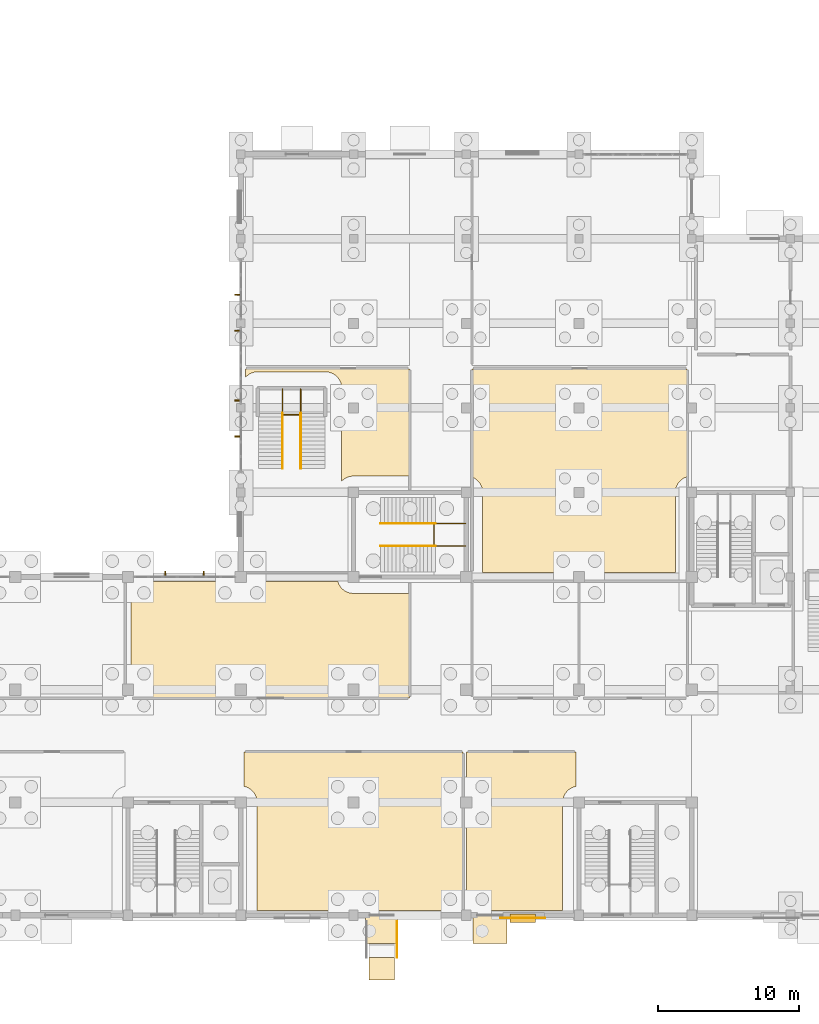
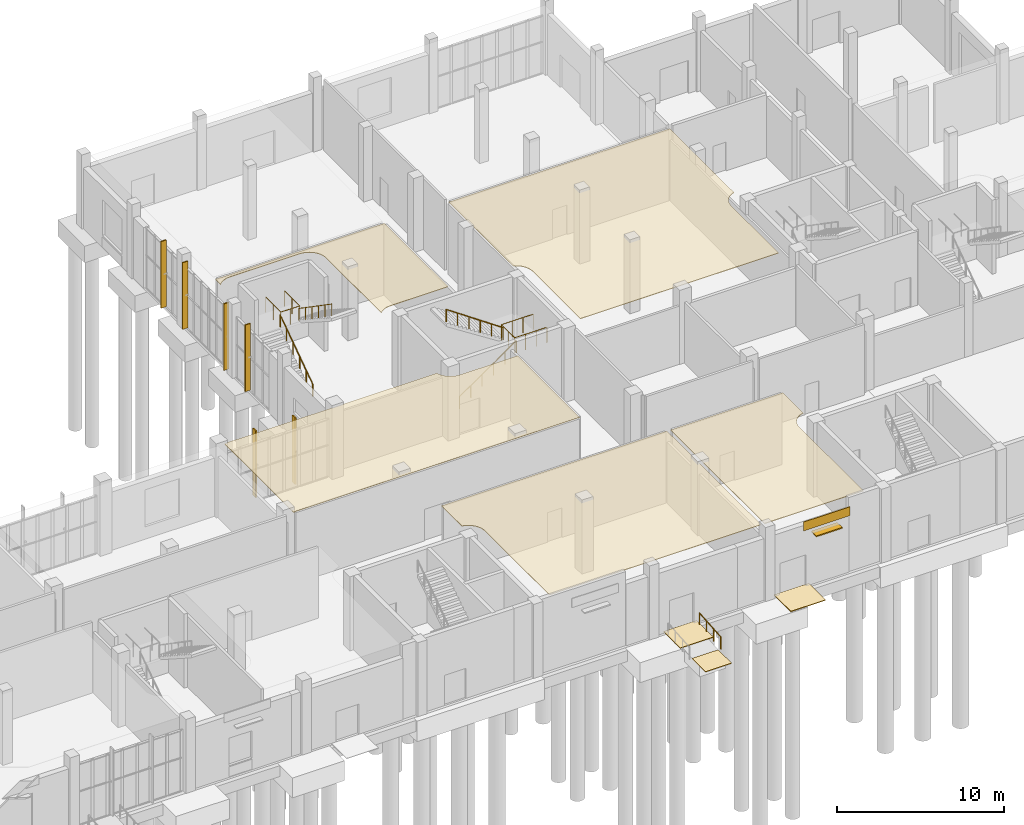
# One storey, part 63 of 69: 9 coverings, 7 railings, 7 shading devices.
"""IFC4 building model written with IfcOpenShell, lengths in metres."""

from ifc_helpers import new_model, si_unit, direction, frame, origin, origin_2d, place, context, subcontext, project, spatial, polyline, rectangle, circle, outline, extrude, material, layer, layer_set, type_object, element, save


model = new_model("IFC4")

# Units and contexts
model_context = context("Model", 3, precision=1e-05, world=origin(), true_north=direction((0.0, 1.0)))
body_context = subcontext(model_context, "Body", "Model", "MODEL_VIEW")
ifc_project = project(units=[si_unit("LENGTHUNIT", "METRE"), si_unit("AREAUNIT", "SQUARE_METRE"), si_unit("VOLUMEUNIT", "CUBIC_METRE"), si_unit("PLANEANGLEUNIT", "RADIAN"), si_unit("MASSUNIT", "GRAM", prefix="KILO")], contexts=[model_context])

# Site, building, storey
site_placement = place(None, origin())
site = spatial("IfcSite", under=ifc_project, at=site_placement, CompositionType="ELEMENT")
building_placement = place(site_placement, origin())
building = spatial("IfcBuilding", under=site, at=building_placement, Name="Solvane Community Centre", CompositionType="ELEMENT")
storey_placement = place(building_placement, origin())
storey = spatial("IfcBuildingStorey", under=building, at=storey_placement, Name="L00", CompositionType="ELEMENT", Elevation=0.0)

# Coverings
ifc_material_1 = material(Name="Acoustic timber slat ceiling", Category="wood")
ifc_layer_1 = layer(ifc_material_1, 0.0400390625)
ifc_layer_set_1 = layer_set([ifc_layer_1], Name="Acoustic timber slat ceiling")
covering_type_1 = type_object("IfcCoveringType", Name="Acoustic Timber Slat Suspended Ceiling", PredefinedType="CEILING", material=ifc_layer_set_1)
covering_1_placement = place(storey_placement, frame((0.0, 0.0, 5.135009765625)))
element("IfcCovering", 1, at=covering_1_placement, inside=storey, type_object=covering_type_1, Name="Acoustic Ceiling L00-26", PredefinedType="CEILING", context=body_context, shape_type="SweptSolid", body=[
    extrude(outline(polyline([(108.219970703125, 17.580078125), (123.780029296875, 17.580078125), (123.780029296875, 6.320068359375), (109.159912109375, 6.320068359375), (109.159912109375, 14.0), (109.15869140625, 14.049072265625), (109.157958984375, 14.064697265625), (109.1484375, 14.162353515625), (109.14599609375, 14.177978515625), (109.126953125, 14.274169921875), (109.123046875, 14.289306640625), (109.0947265625, 14.38330078125), (109.08935546875, 14.398193359375), (109.0517578125, 14.48876953125), (109.045166015625, 14.5029296875), (108.998779296875, 14.589599609375), (108.99072265625, 14.60302734375), (108.936279296875, 14.6845703125), (108.927001953125, 14.697265625), (108.864501953125, 14.773193359375), (108.85400390625, 14.78466796875), (108.78466796875, 14.85400390625), (108.773193359375, 14.864501953125), (108.697265625, 14.927001953125), (108.6845703125, 14.936279296875), (108.60302734375, 14.99072265625), (108.589599609375, 14.998779296875), (108.5029296875, 15.045166015625), (108.48876953125, 15.0517578125), (108.398193359375, 15.08935546875), (108.38330078125, 15.0947265625), (108.289306640625, 15.123046875), (108.274169921875, 15.126953125), (108.219970703125, 15.1376953125), (108.219970703125, 17.580078125)])), origin(), (0.0, 0.0, 1.0), 0.0400390625),
])
covering_2_placement = place(storey_placement, frame((0.0, 0.0, 5.135009765625)))
element("IfcCovering", 2, at=covering_2_placement, inside=storey, type_object=covering_type_1, Name="Acoustic Ceiling L00-27", PredefinedType="CEILING", context=body_context, shape_type="SweptSolid", body=[
    extrude(outline(polyline([(124.02001953125, 6.320068359375), (124.02001953125, 17.580078125), (131.780029296875, 17.580078125), (131.780029296875, 15.1376953125), (131.725830078125, 15.126953125), (131.710693359375, 15.123046875), (131.61669921875, 15.0947265625), (131.601806640625, 15.08935546875), (131.51123046875, 15.0517578125), (131.4970703125, 15.045166015625), (131.410400390625, 14.998779296875), (131.39697265625, 14.99072265625), (131.3154296875, 14.936279296875), (131.302734375, 14.927001953125), (131.226806640625, 14.864501953125), (131.21533203125, 14.85400390625), (131.14599609375, 14.78466796875), (131.135498046875, 14.773193359375), (131.072998046875, 14.697265625), (131.063720703125, 14.6845703125), (131.00927734375, 14.60302734375), (131.001220703125, 14.589599609375), (130.954833984375, 14.5029296875), (130.9482421875, 14.48876953125), (130.91064453125, 14.398193359375), (130.9052734375, 14.38330078125), (130.876953125, 14.289306640625), (130.873046875, 14.274169921875), (130.85400390625, 14.177978515625), (130.8515625, 14.162353515625), (130.842041015625, 14.064697265625), (130.84130859375, 14.049072265625), (130.840087890625, 14.0), (130.840087890625, 6.320068359375), (124.02001953125, 6.320068359375)])), origin(), (0.0, 0.0, 1.0), 0.0400390625),
])
covering_3_placement = place(storey_placement, frame((0.0, 0.0, 5.135009765625)))
element("IfcCovering", 3, at=covering_3_placement, inside=storey, type_object=covering_type_1, Name="Acoustic Ceiling L00-28", PredefinedType="CEILING", context=body_context, shape_type="SweptSolid", body=[
    extrude(outline(polyline([(119.97998046875, 21.419921875), (100.219970703125, 21.419921875), (100.219970703125, 29.679931640625), (114.885986328125, 29.679931640625), (114.9052734375, 29.61669921875), (114.91064453125, 29.601806640625), (114.9482421875, 29.51123046875), (114.954833984375, 29.4970703125), (115.001220703125, 29.410400390625), (115.00927734375, 29.39697265625), (115.063720703125, 29.3154296875), (115.072998046875, 29.302734375), (115.135498046875, 29.226806640625), (115.14599609375, 29.21533203125), (115.21533203125, 29.14599609375), (115.226806640625, 29.135498046875), (115.302734375, 29.072998046875), (115.3154296875, 29.063720703125), (115.39697265625, 29.00927734375), (115.410400390625, 29.001220703125), (115.4970703125, 28.954833984375), (115.51123046875, 28.9482421875), (115.601806640625, 28.91064453125), (115.61669921875, 28.9052734375), (115.710693359375, 28.876953125), (115.725830078125, 28.873046875), (115.822021484375, 28.85400390625), (115.837646484375, 28.8515625), (115.935302734375, 28.842041015625), (115.950927734375, 28.84130859375), (116.0, 28.840087890625), (119.97998046875, 28.840087890625), (119.97998046875, 21.419921875)])), origin(), (0.0, 0.0, 1.0), 0.0400390625),
])
covering_4_placement = place(storey_placement, frame((0.0, 0.0, 5.135009765625)))
element("IfcCovering", 4, at=covering_4_placement, inside=storey, type_object=covering_type_1, Name="Acoustic Ceiling L00-32", PredefinedType="CEILING", context=body_context, shape_type="SweptSolid", body=[
    extrude(outline(polyline([(108.320068359375, 44.780029296875), (119.97998046875, 44.780029296875), (119.97998046875, 37.159912109375), (116.0, 37.159912109375), (115.950927734375, 37.15869140625), (115.935302734375, 37.157958984375), (115.837646484375, 37.1484375), (115.822021484375, 37.14599609375), (115.725830078125, 37.126953125), (115.710693359375, 37.123046875), (115.61669921875, 37.0947265625), (115.601806640625, 37.08935546875), (115.51123046875, 37.0517578125), (115.4970703125, 37.045166015625), (115.410400390625, 36.998779296875), (115.39697265625, 36.99072265625), (115.3154296875, 36.936279296875), (115.302734375, 36.927001953125), (115.226806640625, 36.864501953125), (115.21533203125, 36.85400390625), (115.159912109375, 36.798828125), (115.159912109375, 43.39990234375), (115.15869140625, 43.44921875), (115.157958984375, 43.46484375), (115.1484375, 43.5625), (115.14599609375, 43.577880859375), (115.126953125, 43.67431640625), (115.123046875, 43.689453125), (115.0947265625, 43.783203125), (115.08935546875, 43.798095703125), (115.0517578125, 43.888916015625), (115.045166015625, 43.903076171875), (114.998779296875, 43.989501953125), (114.99072265625, 44.0029296875), (114.936279296875, 44.084716796875), (114.927001953125, 44.09716796875), (114.864501953125, 44.173095703125), (114.85400390625, 44.184814453125), (114.78466796875, 44.254150390625), (114.773193359375, 44.2646484375), (114.697265625, 44.326904296875), (114.6845703125, 44.336181640625), (114.60302734375, 44.390869140625), (114.589599609375, 44.398681640625), (114.5029296875, 44.445068359375), (114.48876953125, 44.451904296875), (114.398193359375, 44.489501953125), (114.38330078125, 44.49462890625), (114.289306640625, 44.523193359375), (114.274169921875, 44.527099609375), (114.177978515625, 44.546142578125), (114.162353515625, 44.54833984375), (114.064697265625, 44.55810546875), (114.049072265625, 44.558837890625), (114.0, 44.56005859375), (109.199951171875, 44.56005859375), (109.15087890625, 44.558837890625), (109.13525390625, 44.55810546875), (109.03759765625, 44.54833984375), (109.022216796875, 44.546142578125), (108.92578125, 44.527099609375), (108.91064453125, 44.523193359375), (108.816650390625, 44.49462890625), (108.802001953125, 44.489501953125), (108.711181640625, 44.451904296875), (108.697021484375, 44.445068359375), (108.610595703125, 44.398681640625), (108.596923828125, 44.390869140625), (108.515380859375, 44.336181640625), (108.502685546875, 44.326904296875), (108.427001953125, 44.2646484375), (108.415283203125, 44.254150390625), (108.345947265625, 44.184814453125), (108.33544921875, 44.173095703125), (108.320068359375, 44.154296875), (108.320068359375, 44.780029296875)])), origin(), (0.0, 0.0, 1.0), 0.0400390625),
])
covering_5_placement = place(storey_placement, frame((0.0, 0.0, 5.135009765625)))
element("IfcCovering", 5, at=covering_5_placement, inside=storey, type_object=covering_type_1, Name="Acoustic Ceiling L00-34", PredefinedType="CEILING", context=body_context, shape_type="SweptSolid", body=[
    extrude(outline(polyline([(124.419921875, 44.780029296875), (139.679931640625, 44.780029296875), (139.679931640625, 37.114013671875), (139.61669921875, 37.0947265625), (139.601806640625, 37.08935546875), (139.51123046875, 37.0517578125), (139.4970703125, 37.045166015625), (139.410400390625, 36.998779296875), (139.39697265625, 36.99072265625), (139.3154296875, 36.936279296875), (139.302734375, 36.927001953125), (139.226806640625, 36.864501953125), (139.21533203125, 36.85400390625), (139.14599609375, 36.78466796875), (139.135498046875, 36.773193359375), (139.072998046875, 36.697265625), (139.063720703125, 36.6845703125), (139.00927734375, 36.60302734375), (139.001220703125, 36.589599609375), (138.954833984375, 36.5029296875), (138.9482421875, 36.48876953125), (138.91064453125, 36.398193359375), (138.9052734375, 36.38330078125), (138.876953125, 36.289306640625), (138.873046875, 36.274169921875), (138.85400390625, 36.177978515625), (138.8515625, 36.162353515625), (138.842041015625, 36.064697265625), (138.84130859375, 36.049072265625), (138.840087890625, 36.0), (138.840087890625, 30.320068359375), (125.159912109375, 30.320068359375), (125.159912109375, 36.0), (125.15869140625, 36.049072265625), (125.157958984375, 36.064697265625), (125.1484375, 36.162353515625), (125.14599609375, 36.177978515625), (125.126953125, 36.274169921875), (125.123046875, 36.289306640625), (125.0947265625, 36.38330078125), (125.08935546875, 36.398193359375), (125.0517578125, 36.48876953125), (125.045166015625, 36.5029296875), (124.998779296875, 36.589599609375), (124.99072265625, 36.60302734375), (124.936279296875, 36.6845703125), (124.927001953125, 36.697265625), (124.864501953125, 36.773193359375), (124.85400390625, 36.78466796875), (124.78466796875, 36.85400390625), (124.773193359375, 36.864501953125), (124.697265625, 36.927001953125), (124.6845703125, 36.936279296875), (124.60302734375, 36.99072265625), (124.589599609375, 36.998779296875), (124.5029296875, 37.045166015625), (124.48876953125, 37.0517578125), (124.419921875, 37.080322265625), (124.419921875, 44.780029296875)])), origin(), (0.0, 0.0, 1.0), 0.0400390625),
])

# Shading devices
ifc_material_2 = material(Name="Anodised bronze aluminium AW-6063 T6", Category="aluminium")
shading_device_type_1 = type_object("IfcShadingDeviceType", Name="Art Deco Bronze Solar Fin 80x360", PredefinedType="USERDEFINED", material=ifc_material_2)
shading_device_1_placement = place(storey_placement, frame((102.639892578125, 30.239990234375, 0.14990234375), z_axis=(0.0, 0.0, 1.0), x_axis=(1.0, 0.0, 0.0)))
element("IfcShadingDevice", 6, at=shading_device_1_placement, inside=storey, type_object=shading_device_type_1, Name="Solar Brise-Soleil Fin 25", ObjectType="Solar Brise-Soleil Fin 25", PredefinedType="USERDEFINED", context=body_context, shape_type="SweptSolid", body=[
    extrude(rectangle(XDim=0.080078125, YDim=0.360107421875, at=origin_2d()), origin(), (0.0, 0.0, 1.0), 4.860107421875),
])
shading_device_2_placement = place(storey_placement, frame((105.360107421875, 30.239990234375, 0.14990234375), z_axis=(0.0, 0.0, 1.0), x_axis=(1.0, 0.0, 0.0)))
element("IfcShadingDevice", 7, at=shading_device_2_placement, inside=storey, type_object=shading_device_type_1, Name="Solar Brise-Soleil Fin 26", ObjectType="Solar Brise-Soleil Fin 26", PredefinedType="USERDEFINED", context=body_context, shape_type="SweptSolid", body=[
    extrude(rectangle(XDim=0.080078125, YDim=0.360107421875, at=origin_2d()), origin(), (0.0, 0.0, 1.0), 4.860107421875),
])
shading_device_3_placement = place(storey_placement, frame((107.760009765625, 39.97509765625, 0.14990234375), z_axis=(0.0, 0.0, 1.0), x_axis=(0.0, 1.0, 0.0)))
element("IfcShadingDevice", 8, at=shading_device_3_placement, inside=storey, type_object=shading_device_type_1, Name="Solar Brise-Soleil Fin 27", ObjectType="Solar Brise-Soleil Fin 27", PredefinedType="USERDEFINED", context=body_context, shape_type="SweptSolid", body=[
    extrude(rectangle(XDim=0.080078125, YDim=0.360107421875, at=origin_2d()), origin(), (0.0, 0.0, 1.0), 4.860107421875),
])
shading_device_4_placement = place(storey_placement, frame((107.760009765625, 42.52490234375, 0.14990234375), z_axis=(0.0, 0.0, 1.0), x_axis=(0.0, 1.0, 0.0)))
element("IfcShadingDevice", 9, at=shading_device_4_placement, inside=storey, type_object=shading_device_type_1, Name="Solar Brise-Soleil Fin 28", ObjectType="Solar Brise-Soleil Fin 28", PredefinedType="USERDEFINED", context=body_context, shape_type="SweptSolid", body=[
    extrude(rectangle(XDim=0.080078125, YDim=0.360107421875, at=origin_2d()), origin(), (0.0, 0.0, 1.0), 4.860107421875),
])
shading_device_5_placement = place(storey_placement, frame((107.760009765625, 47.47509765625, 0.14990234375), z_axis=(0.0, 0.0, 1.0), x_axis=(0.0, 1.0, 0.0)))
element("IfcShadingDevice", 10, at=shading_device_5_placement, inside=storey, type_object=shading_device_type_1, Name="Solar Brise-Soleil Fin 29", ObjectType="Solar Brise-Soleil Fin 29", PredefinedType="USERDEFINED", context=body_context, shape_type="SweptSolid", body=[
    extrude(rectangle(XDim=0.080078125, YDim=0.360107421875, at=origin_2d()), origin(), (0.0, 0.0, 1.0), 4.860107421875),
])
shading_device_6_placement = place(storey_placement, frame((107.760009765625, 50.02490234375, 0.14990234375), z_axis=(0.0, 0.0, 1.0), x_axis=(0.0, 1.0, 0.0)))
element("IfcShadingDevice", 11, at=shading_device_6_placement, inside=storey, type_object=shading_device_type_1, Name="Solar Brise-Soleil Fin 30", ObjectType="Solar Brise-Soleil Fin 30", PredefinedType="USERDEFINED", context=body_context, shape_type="SweptSolid", body=[
    extrude(rectangle(XDim=0.080078125, YDim=0.360107421875, at=origin_2d()), origin(), (0.0, 0.0, 1.0), 4.860107421875),
])

# Railings
railing_type_1 = type_object("IfcRailingType", Name="Interior Gallery & Stair Well Guard 1150mm", PredefinedType="BALUSTRADE", material=ifc_material_2)
railing_1_placement = place(storey_placement, frame((123.93994140625, 32.2099609375, 2.699951171875)))
element("IfcRailing", 12, at=railing_1_placement, inside=storey, type_object=railing_type_1, Name="Railing GR-L00-060", PredefinedType="BALUSTRADE", context=body_context, shape_type="SweptSolid", body=[
    extrude(circle(Radius=0.02392578125, at=origin_2d()), frame((0.0, 0.0, 1.1259765625), z_axis=(-1.0, 0.0, 0.0), x_axis=(0.0, -1.0, 0.0)), (0.0, 0.0, 1.0), 2.219970703125),
    extrude(circle(Radius=0.02392578125, at=origin_2d()), frame((-2.219970703125, 0.0, 1.1259765625), z_axis=(0.0, 1.0, 0.0), x_axis=(-1.0, 0.0, 0.0)), (0.0, 0.0, 1.0), 1.580078125),
    extrude(circle(Radius=0.02392578125, at=origin_2d()), frame((-2.219970703125, 1.580078125, 1.1259765625), z_axis=(1.0, 0.0, 0.0), x_axis=(0.0, 1.0, 0.0)), (0.0, 0.0, 1.0), 2.219970703125),
    extrude(circle(Radius=0.02099609375, at=origin_2d()), origin(), (0.0, 0.0, 1.0), 1.101806640625),
    extrude(circle(Radius=0.02099609375, at=origin_2d()), frame((-0.739990234375, 0.0, 0.0)), (0.0, 0.0, 1.0), 1.101806640625),
    extrude(circle(Radius=0.02099609375, at=origin_2d()), frame((-1.47998046875, 0.0, 0.0)), (0.0, 0.0, 1.0), 1.101806640625),
    extrude(circle(Radius=0.02099609375, at=origin_2d()), frame((-2.219970703125, 0.0, 0.0)), (0.0, 0.0, 1.0), 1.101806640625),
    extrude(circle(Radius=0.02099609375, at=origin_2d()), frame((-2.219970703125, 0.7900390625, 0.0)), (0.0, 0.0, 1.0), 1.101806640625),
    extrude(circle(Radius=0.02099609375, at=origin_2d()), frame((-2.219970703125, 1.580078125, 0.0)), (0.0, 0.0, 1.0), 1.101806640625),
    extrude(circle(Radius=0.02099609375, at=origin_2d()), frame((-1.47998046875, 1.580078125, 0.0)), (0.0, 0.0, 1.0), 1.101806640625),
    extrude(circle(Radius=0.02099609375, at=origin_2d()), frame((-0.739990234375, 1.580078125, 0.0)), (0.0, 0.0, 1.0), 1.101806640625),
    extrude(circle(Radius=0.02099609375, at=origin_2d()), frame((0.0, 1.580078125, 0.0)), (0.0, 0.0, 1.0), 1.101806640625),
])
railing_2_placement = place(storey_placement, frame((110.949951171875, 43.340087890625, 2.699951171875)))
element("IfcRailing", 13, at=railing_2_placement, inside=storey, type_object=railing_type_1, Name="Railing GR-L00-124", PredefinedType="BALUSTRADE", context=body_context, shape_type="SweptSolid", body=[
    extrude(circle(Radius=0.02392578125, at=origin_2d()), frame((0.0, 0.0, 1.1259765625), z_axis=(0.0, -1.0, 0.0), x_axis=(1.0, 0.0, 0.0)), (0.0, 0.0, 1.0), 1.820068359375),
    extrude(circle(Radius=0.02392578125, at=origin_2d()), frame((0.0, -1.820068359375, 1.1259765625), z_axis=(1.0, 0.0, 0.0), x_axis=(0.0, 1.0, 0.0)), (0.0, 0.0, 1.0), 1.300048828125),
    extrude(circle(Radius=0.02392578125, at=origin_2d()), frame((1.300048828125, -1.820068359375, 1.1259765625), z_axis=(0.0, 1.0, 0.0), x_axis=(-1.0, 0.0, 0.0)), (0.0, 0.0, 1.0), 1.820068359375),
    extrude(circle(Radius=0.02099609375, at=origin_2d()), origin(), (0.0, 0.0, 1.0), 1.101806640625),
    extrude(circle(Radius=0.02099609375, at=origin_2d()), frame((0.0, -0.91015625, 0.0)), (0.0, 0.0, 1.0), 1.101806640625),
    extrude(circle(Radius=0.02099609375, at=origin_2d()), frame((0.0, -1.820068359375, 0.0)), (0.0, 0.0, 1.0), 1.101806640625),
    extrude(circle(Radius=0.02099609375, at=origin_2d()), frame((0.64990234375, -1.820068359375, 0.0)), (0.0, 0.0, 1.0), 1.101806640625),
    extrude(circle(Radius=0.02099609375, at=origin_2d()), frame((1.300048828125, -1.820068359375, 0.0)), (0.0, 0.0, 1.0), 1.101806640625),
    extrude(circle(Radius=0.02099609375, at=origin_2d()), frame((1.300048828125, -0.91015625, 0.0)), (0.0, 0.0, 1.0), 1.101806640625),
    extrude(circle(Radius=0.02099609375, at=origin_2d()), frame((1.300048828125, 0.0, 0.0)), (0.0, 0.0, 1.0), 1.101806640625),
])
railing_type_2 = type_object("IfcRailingType", Name="Ramp Handrail 900mm", PredefinedType="HANDRAIL", material=ifc_material_2)
railing_3_placement = place(storey_placement, frame((119.080078125, 3.0, -0.239990234375)))
element("IfcRailing", 14, at=railing_3_placement, inside=storey, type_object=railing_type_2, Name="Ramp Handrail RMP-04", PredefinedType="HANDRAIL", context=body_context, shape_type="SweptSolid", body=[
    extrude(circle(Radius=0.02392578125, at=origin_2d()), frame((0.0, 0.0, 0.8759765625), z_axis=(0.0, 0.99693998236, 0.078170784639), x_axis=(-1.0, 0.0, 0.0)), (0.0, 0.0, 1.0), 2.557861328125),
    extrude(circle(Radius=0.02099609375, at=origin_2d()), origin(), (0.0, 0.0, 1.0), 0.851806640625),
    extrude(circle(Radius=0.02099609375, at=origin_2d()), frame((0.0, 0.85009765625, 0.066650390625)), (0.0, 0.0, 1.0), 0.851806640625),
    extrude(circle(Radius=0.02099609375, at=origin_2d()), frame((0.0, 1.699951171875, 0.13330078125)), (0.0, 0.0, 1.0), 0.851806640625),
    extrude(circle(Radius=0.02099609375, at=origin_2d()), frame((0.0, 2.550048828125, 0.199951171875)), (0.0, 0.0, 1.0), 0.851806640625),
])
railing_type_3 = type_object("IfcRailingType", Name="Stair Pitch Handrail 900mm", PredefinedType="HANDRAIL", material=ifc_material_2)
railing_4_placement = place(storey_placement, frame((117.89990234375, 32.2099609375, 0.0)))
element("IfcRailing", 15, at=railing_4_placement, inside=storey, type_object=railing_type_3, Name="Railing HR-L00-058", PredefinedType="HANDRAIL", context=body_context, shape_type="SweptSolid", body=[
    extrude(circle(Radius=0.02392578125, at=origin_2d()), frame((0.0, 0.0, 0.8759765625), z_axis=(0.823567234665, 0.0, 0.567218661528), x_axis=(0.0, 1.0, 0.0)), (0.0, 0.0, 1.0), 4.760009765625),
    extrude(circle(Radius=0.02099609375, at=origin_2d()), origin(), (0.0, 0.0, 1.0), 0.851806640625),
    extrude(circle(Radius=0.02099609375, at=origin_2d()), frame((0.783935546875, 0.0, 0.5400390625)), (0.0, 0.0, 1.0), 0.851806640625),
    extrude(circle(Radius=0.02099609375, at=origin_2d()), frame((1.568115234375, 0.0, 1.080078125)), (0.0, 0.0, 1.0), 0.851806640625),
    extrude(circle(Radius=0.02099609375, at=origin_2d()), frame((2.35205078125, 0.0, 1.619873046875)), (0.0, 0.0, 1.0), 0.851806640625),
    extrude(circle(Radius=0.02099609375, at=origin_2d()), frame((3.13623046875, 0.0, 2.159912109375)), (0.0, 0.0, 1.0), 0.851806640625),
    extrude(circle(Radius=0.02099609375, at=origin_2d()), frame((3.920166015625, 0.0, 2.699951171875)), (0.0, 0.0, 1.0), 0.851806640625),
])
railing_5_placement = place(storey_placement, frame((121.820068359375, 33.7900390625, 2.699951171875)))
element("IfcRailing", 16, at=railing_5_placement, inside=storey, type_object=railing_type_3, Name="Railing HR-L00-059", PredefinedType="HANDRAIL", context=body_context, shape_type="SweptSolid", body=[
    extrude(circle(Radius=0.02392578125, at=origin_2d()), frame((0.0, 0.0, 0.8759765625), z_axis=(-0.823567234665, 0.0, 0.567218661528), x_axis=(0.0, -1.0, 0.0)), (0.0, 0.0, 1.0), 4.760009765625),
    extrude(circle(Radius=0.02099609375, at=origin_2d()), origin(), (0.0, 0.0, 1.0), 0.851806640625),
    extrude(circle(Radius=0.02099609375, at=origin_2d()), frame((-0.783935546875, 0.0, 0.5400390625)), (0.0, 0.0, 1.0), 0.851806640625),
    extrude(circle(Radius=0.02099609375, at=origin_2d()), frame((-1.568115234375, 0.0, 1.080078125)), (0.0, 0.0, 1.0), 0.851806640625),
    extrude(circle(Radius=0.02099609375, at=origin_2d()), frame((-2.35205078125, 0.0, 1.619873046875)), (0.0, 0.0, 1.0), 0.851806640625),
    extrude(circle(Radius=0.02099609375, at=origin_2d()), frame((-3.13623046875, 0.0, 2.159912109375)), (0.0, 0.0, 1.0), 0.851806640625),
    extrude(circle(Radius=0.02099609375, at=origin_2d()), frame((-3.920166015625, 0.0, 2.699951171875)), (0.0, 0.0, 1.0), 0.851806640625),
])
railing_6_placement = place(storey_placement, frame((110.949951171875, 37.699951171875, 0.0)))
element("IfcRailing", 17, at=railing_6_placement, inside=storey, type_object=railing_type_3, Name="Railing HR-L00-122", PredefinedType="HANDRAIL", context=body_context, shape_type="SweptSolid", body=[
    extrude(circle(Radius=0.02392578125, at=origin_2d()), frame((0.0, 0.0, 0.8759765625), z_axis=(0.0, 0.823567234665, 0.567218661528), x_axis=(-1.0, 0.0, 0.0)), (0.0, 0.0, 1.0), 4.760009765625),
    extrude(circle(Radius=0.02099609375, at=origin_2d()), origin(), (0.0, 0.0, 1.0), 0.851806640625),
    extrude(circle(Radius=0.02099609375, at=origin_2d()), frame((0.0, 0.783935546875, 0.5400390625)), (0.0, 0.0, 1.0), 0.851806640625),
    extrude(circle(Radius=0.02099609375, at=origin_2d()), frame((0.0, 1.568115234375, 1.080078125)), (0.0, 0.0, 1.0), 0.851806640625),
    extrude(circle(Radius=0.02099609375, at=origin_2d()), frame((0.0, 2.35205078125, 1.619873046875)), (0.0, 0.0, 1.0), 0.851806640625),
    extrude(circle(Radius=0.02099609375, at=origin_2d()), frame((0.0, 3.13623046875, 2.159912109375)), (0.0, 0.0, 1.0), 0.851806640625),
    extrude(circle(Radius=0.02099609375, at=origin_2d()), frame((0.0, 3.920166015625, 2.699951171875)), (0.0, 0.0, 1.0), 0.851806640625),
])
railing_7_placement = place(storey_placement, frame((112.25, 41.6201171875, 2.699951171875)))
element("IfcRailing", 18, at=railing_7_placement, inside=storey, type_object=railing_type_3, Name="Railing HR-L00-123", PredefinedType="HANDRAIL", context=body_context, shape_type="SweptSolid", body=[
    extrude(circle(Radius=0.02392578125, at=origin_2d()), frame((0.0, 0.0, 0.8759765625), z_axis=(0.0, -0.823567234665, 0.567218661528), x_axis=(1.0, 0.0, 0.0)), (0.0, 0.0, 1.0), 4.760009765625),
    extrude(circle(Radius=0.02099609375, at=origin_2d()), origin(), (0.0, 0.0, 1.0), 0.851806640625),
    extrude(circle(Radius=0.02099609375, at=origin_2d()), frame((0.0, -0.783935546875, 0.5400390625)), (0.0, 0.0, 1.0), 0.851806640625),
    extrude(circle(Radius=0.02099609375, at=origin_2d()), frame((0.0, -1.568115234375, 1.080078125)), (0.0, 0.0, 1.0), 0.851806640625),
    extrude(circle(Radius=0.02099609375, at=origin_2d()), frame((0.0, -2.35205078125, 1.619873046875)), (0.0, 0.0, 1.0), 0.851806640625),
    extrude(circle(Radius=0.02099609375, at=origin_2d()), frame((0.0, -3.13623046875, 2.159912109375)), (0.0, 0.0, 1.0), 0.851806640625),
    extrude(circle(Radius=0.02099609375, at=origin_2d()), frame((0.0, -3.920166015625, 2.699951171875)), (0.0, 0.0, 1.0), 0.851806640625),
])

# Coverings
ifc_material_3 = material(Name="Precast concrete C35/45", Category="concrete")
ifc_layer_2 = layer(ifc_material_3, 0.0400390625)
ifc_layer_set_2 = layer_set([ifc_layer_2], Name="Precast concrete C35/45")
covering_type_2 = type_object("IfcCoveringType", Name="Stone Entrance Threshold Apron", PredefinedType="FLOORING", material=ifc_layer_set_2)
covering_6_placement = place(storey_placement, frame((0.0, 0.0, -0.0400390625)))
element("IfcCovering", 19, at=covering_6_placement, inside=storey, type_object=covering_type_2, Name="Entrance Threshold Apron L00-ED04", PredefinedType="FLOORING", context=body_context, shape_type="SweptSolid", body=[
    extrude(outline(polyline([(126.892578125, 6.0), (124.492431640625, 6.0), (124.492431640625, 4.0), (126.892578125, 4.0), (126.892578125, 6.0)])), origin(), (0.0, 0.0, 1.0), 0.0400390625),
])
covering_7_placement = place(storey_placement, frame((0.0, 0.0, -0.0400390625)))
element("IfcCovering", 20, at=covering_7_placement, inside=storey, type_object=covering_type_2, Name="Entrance Threshold Apron L00-ED05", PredefinedType="FLOORING", context=body_context, shape_type="SweptSolid", body=[
    extrude(outline(polyline([(119.150146484375, 6.0), (116.85009765625, 6.0), (116.85009765625, 4.0), (119.150146484375, 4.0), (119.150146484375, 6.0)])), origin(), (0.0, 0.0, 1.0), 0.0400390625),
])
covering_8_placement = place(storey_placement, frame((0.0, 0.0, -0.280029296875)))
element("IfcCovering", 21, at=covering_8_placement, inside=storey, type_object=covering_type_2, Name="Ramp Base Landing RMP-04", PredefinedType="FLOORING", context=body_context, shape_type="SweptSolid", body=[
    extrude(outline(polyline([(118.89990234375, 1.39990234375), (118.89990234375, 3.0), (117.10009765625, 3.0), (117.10009765625, 1.39990234375), (118.89990234375, 1.39990234375)])), origin(), (0.0, 0.0, 1.0), 0.0400390625),
])
ifc_material_4 = material(Name="Terracotta clay masonry", Category="masonry")
ifc_layer_3 = layer(ifc_material_4, 0.044921875)
ifc_layer_set_3 = layer_set([ifc_layer_3], Name="Terracotta clay masonry")
covering_type_3 = type_object("IfcCoveringType", Name="Terracotta Fluted Rainscreen Band", PredefinedType="CLADDING", material=ifc_layer_set_3)
covering_9_placement = place(storey_placement, frame((128.0, 5.7900390625, 4.125), z_axis=(0.0, 0.0, 1.0), x_axis=(1.0, 0.0, 0.0)))
element("IfcCovering", 22, at=covering_9_placement, inside=storey, type_object=covering_type_3, Name="Terracotta Rainscreen Band 4", PredefinedType="CLADDING", context=body_context, shape_type="SweptSolid", body=[
    extrude(rectangle(XDim=3.199951171875, YDim=0.044921875, at=origin_2d()), origin(), (0.0, 0.0, 1.0), 0.64990234375),
])

# Shading device
shading_device_type_2 = type_object("IfcShadingDeviceType", Name="Window Sun-Hood Awning 1800x600", PredefinedType="AWNING", material=ifc_material_2)
shading_device_7_placement = place(storey_placement, frame((128.0, 5.780029296875, 3.60986328125), z_axis=(0.0, 0.0, 1.0), x_axis=(1.0, 0.0, 0.0)))
element("IfcShadingDevice", 23, at=shading_device_7_placement, inside=storey, type_object=shading_device_type_2, Name="Art Deco Window Awning 4", PredefinedType="AWNING", context=body_context, shape_type="SweptSolid", body=[
    extrude(rectangle(XDim=1.800048828125, YDim=0.60009765625, at=origin_2d()), origin(), (0.0, 0.0, 1.0), 0.080078125),
])

save(model, "model.ifc")
